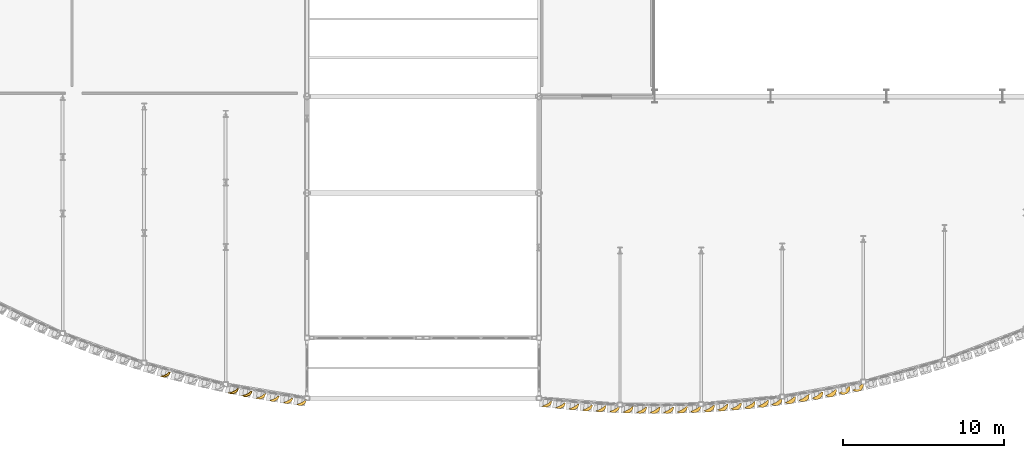
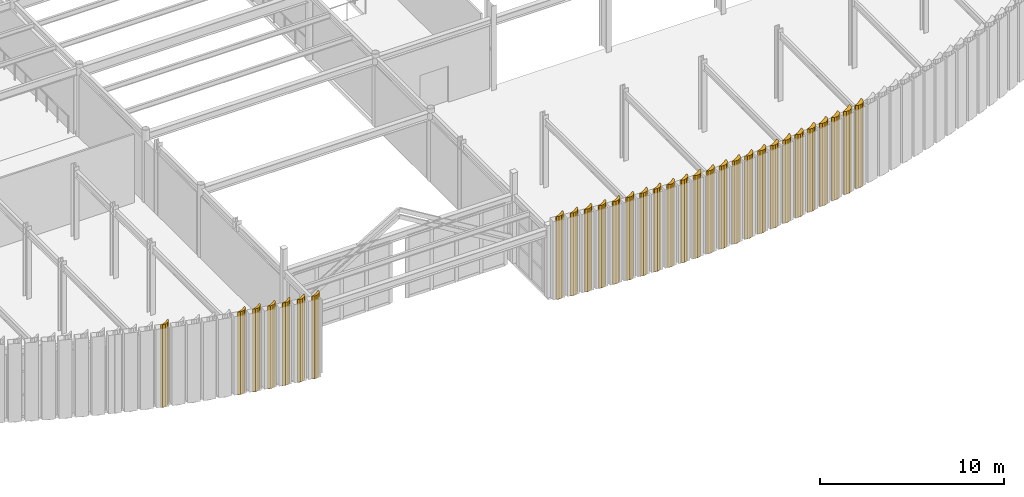
# One storey, part 118 of 126: 31 coverings.
"""IFC4 building model written with IfcOpenShell, lengths in metres."""

import ifcopenshell
import ifcopenshell.guid

model = None  # the IFC model being written
_history = None  # IfcOwnerHistory: only IFC2X3 demands one
_inside = {}  # id of a spatial element -> (the spatial element, [elements in it])
_under = {}  # id of a project, library or spatial element -> (it, [spatial elements below it])
_declared = {}  # id of a project -> (the project, [libraries it declares])
_typed = {}  # id of a type object -> (the type object, [elements of that type])
_made_of = {}  # id of a material, layer set ... -> (it, [elements and type objects made of it])


def new_model(schema):
    """Start an empty IFC model of exactly this schema.

    Asked for "IFC4X3", IfcOpenShell would pick the latest addendum, in which some entities
    have other attributes; the version numbers below select the first issue.
    IFC2X3 requires an IfcOwnerHistory on every rooted entity: one is made here for all.
    """
    global model, _history
    if schema == "IFC4X3":
        model = ifcopenshell.file(schema_version=(4, 3, 0, 0))
    else:
        model = ifcopenshell.file(schema=schema)
    _inside.clear()
    _under.clear()
    _declared.clear()
    _typed.clear()
    _made_of.clear()
    _history = None
    if model.schema == "IFC2X3":
        org = make("IfcOrganization", Name="unknown")
        user = make(
            "IfcPersonAndOrganization",
            ThePerson=make("IfcPerson", FamilyName="unknown"),
            TheOrganization=org,
        )
        app = make(
            "IfcApplication",
            ApplicationDeveloper=org,
            Version="unknown",
            ApplicationFullName="unknown",
            ApplicationIdentifier="unknown",
        )
        _history = make(
            "IfcOwnerHistory",
            OwningUser=user,
            OwningApplication=app,
            ChangeAction="ADDED",
            CreationDate=0,
        )
    return model


def make(cls, **values):
    """One entity of the class cls with the attributes given. An attribute that is None is left unset."""
    return model.create_entity(
        cls, **{name: value for name, value in values.items() if value is not None}
    )


def rooted(cls, **values):
    """An entity with a GlobalId (a new one), such as an element, a storey or a relation."""
    return make(cls, GlobalId=ifcopenshell.guid.new(), OwnerHistory=_history, **values)


def si_unit(unit_type, name, prefix=None):
    """IfcSIUnit, for example si_unit("LENGTHUNIT", "METRE", prefix="MILLI")."""
    return make("IfcSIUnit", UnitType=unit_type, Prefix=prefix, Name=name)


def assignment(units):
    """IfcUnitAssignment: the units of a project."""
    return None if units is None else make("IfcUnitAssignment", Units=units)


def point(xyz):
    """IfcCartesianPoint."""
    return None if xyz is None else make("IfcCartesianPoint", Coordinates=xyz)


def direction(xyz):
    """IfcDirection."""
    return None if xyz is None else make("IfcDirection", DirectionRatios=xyz)


def frame(location, z_axis=None, x_axis=None):
    """IfcAxis2Placement3D, a coordinate frame: its origin and axes. An axis left out is left unset."""
    return make(
        "IfcAxis2Placement3D",
        Location=point(location),
        Axis=direction(z_axis),
        RefDirection=direction(x_axis),
    )


def origin():
    """The frame at (0, 0, 0) with its axes left unset."""
    return frame((0.0, 0.0, 0.0))


def place(relative_to, where):
    """IfcLocalPlacement: puts the frame where relative to a parent placement (None: the world)."""
    return make(
        "IfcLocalPlacement", PlacementRelTo=relative_to, RelativePlacement=where
    )


def context(
    kind, dimensions, precision=None, world=None, true_north=None, identifier=None
):
    """IfcGeometricRepresentationContext, for example the 3D "Model" context."""
    return make(
        "IfcGeometricRepresentationContext",
        ContextIdentifier=identifier,
        ContextType=kind,
        CoordinateSpaceDimension=dimensions,
        Precision=precision,
        WorldCoordinateSystem=world,
        TrueNorth=true_north,
    )


def subcontext(parent, identifier, kind, view, scale=None):
    """IfcGeometricRepresentationSubContext, for example "Body" below "Model"."""
    return make(
        "IfcGeometricRepresentationSubContext",
        ContextIdentifier=identifier,
        ContextType=kind,
        ParentContext=parent,
        TargetScale=scale,
        TargetView=view,
    )


def project(units=None, contexts=None):
    """IfcProject with its units and contexts."""
    return rooted(
        "IfcProject",
        Name="project",
        RepresentationContexts=contexts,
        UnitsInContext=assignment(units),
    )


def spatial(cls, under=None, at=None, **own):
    """A site, building, storey or space (cls), placed at a placement, below another one or the project."""
    s = rooted(cls, ObjectPlacement=at, **own)
    if under is not None:
        _under.setdefault(under.id(), (under, []))[1].append(s)
    return s


def polyline(points):
    """IfcPolyline through the points."""
    return make("IfcPolyline", Points=[point(p) for p in points])


def outline(outer, holes=None, kind="AREA"):
    """IfcArbitraryClosedProfileDef: a profile drawn as a closed curve; with holes, ...WithVoids."""
    if holes is None:
        return make("IfcArbitraryClosedProfileDef", ProfileType=kind, OuterCurve=outer)
    return make(
        "IfcArbitraryProfileDefWithVoids",
        ProfileType=kind,
        OuterCurve=outer,
        InnerCurves=holes,
    )


def extrude(swept, where, along, depth):
    """IfcExtrudedAreaSolid: the profile swept, set in the frame where, extruded along a direction by depth."""
    return make(
        "IfcExtrudedAreaSolid",
        SweptArea=swept,
        Position=where,
        ExtrudedDirection=direction(along),
        Depth=depth,
    )


def shape(context_of_items, identifier, shape_type, items):
    """IfcShapeRepresentation: the items that make up one representation, for example the "Body"."""
    return make(
        "IfcShapeRepresentation",
        ContextOfItems=context_of_items,
        RepresentationIdentifier=identifier,
        RepresentationType=shape_type,
        Items=items,
    )


def material(Name=None, Category=None):
    """IfcMaterial."""
    return make("IfcMaterial", Name=Name, Category=Category)


def layer(
    of_material, thickness, ventilated=None, Name=None, Category=None, Priority=None
):
    """IfcMaterialLayer: one layer of a wall or slab, of a material (None: an air gap)."""
    return make(
        "IfcMaterialLayer",
        Material=of_material,
        LayerThickness=thickness,
        IsVentilated=ventilated,
        Name=Name,
        Category=Category,
        Priority=Priority,
    )


def layer_set(layers, Name=None):
    """IfcMaterialLayerSet."""
    return make("IfcMaterialLayerSet", MaterialLayers=layers, LayerSetName=Name)


def made_of(thing, what):
    """Note that an element or type object is made of a material, layer set ...; save() writes the relation."""
    if what is not None:
        _made_of.setdefault(what.id(), (what, []))[1].append(thing)
    return thing


def type_object(cls, material=None, **own):
    """A type object (cls), such as IfcWallType, which elements share."""
    return made_of(rooted(cls, **own), material)


def element(
    cls,
    number,
    at=None,
    inside=None,
    cuts=None,
    type_object=None,
    material=None,
    context=None,
    identifier="Body",
    shape_type=None,
    held_by="IfcProductDefinitionShape",
    body=None,
    shapes=None,
    **own,
):
    """One element of the class cls, such as IfcWall. Its Tag is "e" and its number.

    at: its placement. inside: the storey or other place that contains it. cuts: it is an
    opening in that element (IfcRelVoidsElement). A single representation is given by context,
    identifier, shape_type and body (its items); several are given by shapes. held_by: the class
    of the entity that holds the representations. save() writes the other relations.
    """
    e = rooted(cls, Tag="e%d" % number, ObjectPlacement=at, **own)
    if body is not None:
        shapes = [shape(context, identifier, shape_type, body)]
    if shapes is not None:
        e.Representation = make(held_by, Representations=shapes)
    if inside is not None:
        _inside.setdefault(inside.id(), (inside, []))[1].append(e)
    if cuts is not None:
        rooted(
            "IfcRelVoidsElement", RelatingBuildingElement=cuts, RelatedOpeningElement=e
        )
    if type_object is not None:
        _typed.setdefault(type_object.id(), (type_object, []))[1].append(e)
    return made_of(e, material)


def aggregate(whole, parts):
    """IfcRelAggregates: a whole, such as a stair, and the parts it consists of."""
    return rooted("IfcRelAggregates", RelatingObject=whole, RelatedObjects=parts)


def save(model, path):
    """Write the relations noted so far, then the file.

    IfcRelAggregates (storeys below a building ...), IfcRelContainedInSpatialStructure (elements
    in a storey), IfcRelDefinesByType, IfcRelAssociatesMaterial and IfcRelDeclares: one each for
    every whole, place, type object, material and project.
    """
    for whole, parts in _under.values():
        aggregate(whole, parts)
    for where, things in _inside.values():
        rooted(
            "IfcRelContainedInSpatialStructure",
            RelatedElements=things,
            RelatingStructure=where,
        )
    for kind, things in _typed.values():
        rooted("IfcRelDefinesByType", RelatedObjects=things, RelatingType=kind)
    for what, things in _made_of.values():
        rooted("IfcRelAssociatesMaterial", RelatedObjects=things, RelatingMaterial=what)
    for by, libraries in _declared.values():
        rooted("IfcRelDeclares", RelatingContext=by, RelatedDefinitions=libraries)
    model.write(path)


model = new_model("IFC4")

# Units and contexts
model_context = context("Model", 3, precision=1e-05, world=origin(), true_north=direction((0.0, 1.0)))
body_context = subcontext(model_context, "Body", "Model", "MODEL_VIEW")
ifc_project = project(units=[si_unit("LENGTHUNIT", "METRE"), si_unit("AREAUNIT", "SQUARE_METRE"), si_unit("VOLUMEUNIT", "CUBIC_METRE"), si_unit("PLANEANGLEUNIT", "RADIAN"), si_unit("MASSUNIT", "GRAM", prefix="KILO")], contexts=[model_context])

# Site, building, storey
site_placement = place(None, origin())
site = spatial("IfcSite", under=ifc_project, at=site_placement, CompositionType="ELEMENT")
building_placement = place(site_placement, origin())
building = spatial("IfcBuilding", under=site, at=building_placement, Name="Solvadek Multi-Sports Hall", CompositionType="ELEMENT")
storey_placement = place(building_placement, frame((0.0, 0.0, 9.60009765625)))
storey = spatial("IfcBuildingStorey", under=building, at=storey_placement, Name="L02", CompositionType="ELEMENT", Elevation=9.60009765625)

# Coverings
ifc_material = material(Name="Perforated champagne-bronze anodised aluminium", Category="aluminium")
ifc_layer = layer(ifc_material, 0.06494140625, Name="Perforated champagne-bronze anodised aluminium")
ifc_layer_set = layer_set([ifc_layer], Name="Perforated champagne-bronze anodised aluminium")
covering_type = type_object("IfcCoveringType", Name="ENV-COV-FLUTED", PredefinedType="CLADDING", material=ifc_layer_set)
covering_1_placement = place(storey_placement, frame((0.0, 0.0, 0.010009765625)))
element("IfcCovering", 1, at=covering_1_placement, inside=storey, type_object=covering_type, Name="L02 Perforated Bronze Half-Cylinder Fluted Shell #88", PredefinedType="CLADDING", context=body_context, shape_type="SweptSolid", body=[
    extrude(outline(polyline([(63.5087890625, -11.148193359375), (63.4345703125, -11.289794921875), (63.3115234375, -11.392333984375), (63.158935546875, -11.43994140625), (62.99951171875, -11.42529296875), (62.85791015625, -11.35107421875), (62.755615234375, -11.22802734375), (62.7080078125, -11.075439453125), (62.722412109375, -10.916015625), (62.784912109375, -10.9345703125), (62.683349609375, -11.068603515625), (62.647705078125, -11.197021484375), (62.683349609375, -11.300537109375), (62.784912109375, -11.363037109375), (62.9365234375, -11.375244140625), (63.11572265625, -11.335205078125), (63.294677734375, -11.2490234375), (63.446533203125, -11.1298828125), (63.5087890625, -11.148193359375)])), origin(), (0.0, 0.0, 1.0), 5.489990234375),
])
covering_2_placement = place(storey_placement, frame((0.0, 0.0, 0.010009765625)))
element("IfcCovering", 2, at=covering_2_placement, inside=storey, type_object=covering_type, Name="L02 Perforated Bronze Half-Cylinder Fluted Shell #99", PredefinedType="CLADDING", context=body_context, shape_type="SweptSolid", body=[
    extrude(outline(polyline([(67.743408203125, -12.15673828125), (67.68212890625, -12.304443359375), (67.56884765625, -12.41748046875), (67.4208984375, -12.478515625), (67.260986328125, -12.478515625), (67.11328125, -12.4169921875), (67.00048828125, -12.3037109375), (66.939208984375, -12.156005859375), (66.939453125, -11.995849609375), (67.003173828125, -12.008544921875), (66.8994140625, -12.143310546875), (66.863037109375, -12.267578125), (66.8994140625, -12.363037109375), (67.003173828125, -12.41455078125), (67.158447265625, -12.414794921875), (67.341552734375, -12.36328125), (67.524658203125, -12.268310546875), (67.6796875, -12.14404296875), (67.743408203125, -12.15673828125)])), origin(), (0.0, 0.0, 1.0), 5.489990234375),
])
covering_3_placement = place(storey_placement, frame((0.0, 0.0, 0.010009765625)))
element("IfcCovering", 3, at=covering_3_placement, inside=storey, type_object=covering_type, Name="L02 Perforated Bronze Half-Cylinder Fluted Shell #100", PredefinedType="CLADDING", context=body_context, shape_type="SweptSolid", body=[
    extrude(outline(polyline([(68.5869140625, -12.325439453125), (68.525634765625, -12.47314453125), (68.412353515625, -12.586181640625), (68.264404296875, -12.647216796875), (68.1044921875, -12.647216796875), (67.956787109375, -12.585693359375), (67.84375, -12.472412109375), (67.78271484375, -12.32470703125), (67.782958984375, -12.16455078125), (67.8466796875, -12.177490234375), (67.742919921875, -12.31201171875), (67.70654296875, -12.436279296875), (67.742919921875, -12.53173828125), (67.8466796875, -12.58349609375), (68.001953125, -12.58349609375), (68.18505859375, -12.5322265625), (68.367919921875, -12.43701171875), (68.523193359375, -12.312744140625), (68.5869140625, -12.325439453125)])), origin(), (0.0, 0.0, 1.0), 5.489990234375),
])
covering_4_placement = place(storey_placement, frame((0.0, 0.0, 0.010009765625)))
element("IfcCovering", 4, at=covering_4_placement, inside=storey, type_object=covering_type, Name="L02 Perforated Bronze Half-Cylinder Fluted Shell #103", PredefinedType="CLADDING", context=body_context, shape_type="SweptSolid", body=[
    extrude(outline(polyline([(69.435546875, -12.47021484375), (69.37841796875, -12.61962890625), (69.2685546875, -12.73583984375), (69.12255859375, -12.80126953125), (68.962646484375, -12.8056640625), (68.813232421875, -12.748779296875), (68.697021484375, -12.638916015625), (68.631591796875, -12.492919921875), (68.627197265625, -12.3330078125), (68.691162109375, -12.34375), (68.5869140625, -12.478515625), (68.55029296875, -12.601318359375), (68.5869140625, -12.693603515625), (68.691162109375, -12.74169921875), (68.84716796875, -12.73779296875), (69.03125, -12.682861328125), (69.21533203125, -12.5849609375), (69.371337890625, -12.459228515625), (69.435546875, -12.47021484375)])), origin(), (0.0, 0.0, 1.0), 5.489990234375),
])
covering_5_placement = place(storey_placement, frame((0.0, 0.0, 0.010009765625)))
element("IfcCovering", 5, at=covering_5_placement, inside=storey, type_object=covering_type, Name="L02 Perforated Bronze Half-Cylinder Fluted Shell #104", PredefinedType="CLADDING", context=body_context, shape_type="SweptSolid", body=[
    extrude(outline(polyline([(70.27880859375, -12.613037109375), (70.221923828125, -12.7626953125), (70.112060546875, -12.87890625), (69.966064453125, -12.9443359375), (69.80615234375, -12.94873046875), (69.656494140625, -12.891845703125), (69.540283203125, -12.781982421875), (69.47509765625, -12.635986328125), (69.470458984375, -12.47607421875), (69.534423828125, -12.48681640625), (69.430419921875, -12.621337890625), (69.3935546875, -12.744384765625), (69.430419921875, -12.836669921875), (69.534423828125, -12.884765625), (69.690673828125, -12.880859375), (69.874755859375, -12.825927734375), (70.058837890625, -12.72802734375), (70.21484375, -12.602294921875), (70.27880859375, -12.613037109375)])), origin(), (0.0, 0.0, 1.0), 5.489990234375),
])
covering_6_placement = place(storey_placement, frame((0.0, 0.0, 0.010009765625)))
element("IfcCovering", 6, at=covering_6_placement, inside=storey, type_object=covering_type, Name="L02 Perforated Bronze Half-Cylinder Fluted Shell #107", PredefinedType="CLADDING", context=body_context, shape_type="SweptSolid", body=[
    extrude(outline(polyline([(71.127197265625, -12.732177734375), (71.074462890625, -12.883056640625), (70.968017578125, -13.002685546875), (70.823974609375, -13.072265625), (70.664306640625, -13.08154296875), (70.51318359375, -13.02880859375), (70.393798828125, -12.922607421875), (70.32421875, -12.7783203125), (70.31494140625, -12.61865234375), (70.37939453125, -12.627685546875), (70.274658203125, -12.76220703125), (70.23779296875, -12.88330078125), (70.274658203125, -12.972900390625), (70.37939453125, -13.01708984375), (70.5361328125, -13.00927734375), (70.720947265625, -12.95068359375), (70.906005859375, -12.85009765625), (71.062744140625, -12.72314453125), (71.127197265625, -12.732177734375)])), origin(), (0.0, 0.0, 1.0), 5.489990234375),
])
covering_7_placement = place(storey_placement, frame((0.0, 0.0, 0.010009765625)))
element("IfcCovering", 7, at=covering_7_placement, inside=storey, type_object=covering_type, Name="L02 Perforated Bronze Half-Cylinder Fluted Shell #108", PredefinedType="CLADDING", context=body_context, shape_type="SweptSolid", body=[
    extrude(outline(polyline([(71.970458984375, -12.849853515625), (71.91796875, -13.000732421875), (71.8115234375, -13.120361328125), (71.66748046875, -13.18994140625), (71.5078125, -13.19921875), (71.356689453125, -13.146484375), (71.2373046875, -13.040283203125), (71.16748046875, -12.89599609375), (71.158447265625, -12.736328125), (71.222900390625, -12.745361328125), (71.117919921875, -12.8798828125), (71.081298828125, -13.0009765625), (71.117919921875, -13.090576171875), (71.222900390625, -13.134765625), (71.37939453125, -13.126953125), (71.564453125, -13.068359375), (71.74951171875, -12.968017578125), (71.906005859375, -12.8408203125), (71.970458984375, -12.849853515625)])), origin(), (0.0, 0.0, 1.0), 5.489990234375),
])
covering_8_placement = place(storey_placement, frame((0.0, 0.0, 0.010009765625)))
element("IfcCovering", 8, at=covering_8_placement, inside=storey, type_object=covering_type, Name="L02 Perforated Bronze Half-Cylinder Fluted Shell #111", PredefinedType="CLADDING", context=body_context, shape_type="SweptSolid", body=[
    extrude(outline(polyline([(87.216552734375, -12.943359375), (87.16845703125, -13.095703125), (87.065673828125, -13.21826171875), (86.923583984375, -13.2919921875), (86.764404296875, -13.305908203125), (86.61181640625, -13.2578125), (86.4892578125, -13.155029296875), (86.415283203125, -13.012939453125), (86.401611328125, -12.853759765625), (86.466064453125, -12.86083984375), (86.361083984375, -12.994873046875), (86.32421875, -13.1142578125), (86.361083984375, -13.200927734375), (86.466064453125, -13.241455078125), (86.62353515625, -13.229736328125), (86.80908203125, -13.16748046875), (86.99462890625, -13.064453125), (87.152099609375, -12.936279296875), (87.216552734375, -12.943359375)])), origin(), (0.0, 0.0, 1.0), 5.489990234375),
])
covering_9_placement = place(storey_placement, frame((0.0, 0.0, 0.010009765625)))
element("IfcCovering", 9, at=covering_9_placement, inside=storey, type_object=covering_type, Name="L02 Perforated Bronze Half-Cylinder Fluted Shell #112", PredefinedType="CLADDING", context=body_context, shape_type="SweptSolid", body=[
    extrude(outline(polyline([(88.056640625, -13.03564453125), (88.00830078125, -13.188232421875), (87.905517578125, -13.310791015625), (87.763671875, -13.384521484375), (87.604248046875, -13.3984375), (87.45166015625, -13.35009765625), (87.3291015625, -13.247314453125), (87.25537109375, -13.10546875), (87.241455078125, -12.946044921875), (87.30615234375, -12.953125), (87.200927734375, -13.087158203125), (87.1640625, -13.206787109375), (87.200927734375, -13.293212890625), (87.30615234375, -13.333740234375), (87.46337890625, -13.322021484375), (87.649169921875, -13.260009765625), (87.834716796875, -13.156982421875), (87.991943359375, -13.028564453125), (88.056640625, -13.03564453125)])), origin(), (0.0, 0.0, 1.0), 5.489990234375),
])
covering_10_placement = place(storey_placement, frame((0.0, 0.0, 0.010009765625)))
element("IfcCovering", 10, at=covering_10_placement, inside=storey, type_object=covering_type, Name="L02 Perforated Bronze Half-Cylinder Fluted Shell #115", PredefinedType="CLADDING", context=body_context, shape_type="SweptSolid", body=[
    extrude(outline(polyline([(88.900634765625, -13.104248046875), (88.85693359375, -13.258056640625), (88.757568359375, -13.383544921875), (88.617919921875, -13.46142578125), (88.458984375, -13.479736328125), (88.30517578125, -13.43603515625), (88.1796875, -13.3369140625), (88.101806640625, -13.197021484375), (88.083251953125, -13.0380859375), (88.148193359375, -13.04345703125), (88.042724609375, -13.177001953125), (88.005615234375, -13.294677734375), (88.042724609375, -13.37841796875), (88.148193359375, -13.4150390625), (88.305908203125, -13.3994140625), (88.491943359375, -13.333984375), (88.677978515625, -13.228515625), (88.835693359375, -13.098876953125), (88.900634765625, -13.104248046875)])), origin(), (0.0, 0.0, 1.0), 5.489990234375),
])
covering_11_placement = place(storey_placement, frame((0.0, 0.0, 0.010009765625)))
element("IfcCovering", 11, at=covering_11_placement, inside=storey, type_object=covering_type, Name="L02 Perforated Bronze Half-Cylinder Fluted Shell #116", PredefinedType="CLADDING", context=body_context, shape_type="SweptSolid", body=[
    extrude(outline(polyline([(89.740478515625, -13.172119140625), (89.697021484375, -13.32568359375), (89.59765625, -13.451416015625), (89.4580078125, -13.529296875), (89.299072265625, -13.547607421875), (89.14501953125, -13.50390625), (89.019775390625, -13.404541015625), (88.94189453125, -13.264892578125), (88.92333984375, -13.10595703125), (88.988037109375, -13.111083984375), (88.8828125, -13.244873046875), (88.845703125, -13.362548828125), (88.8828125, -13.446044921875), (88.988037109375, -13.48291015625), (89.145751953125, -13.46728515625), (89.33203125, -13.40185546875), (89.51806640625, -13.296142578125), (89.67578125, -13.166748046875), (89.740478515625, -13.172119140625)])), origin(), (0.0, 0.0, 1.0), 5.489990234375),
])
covering_12_placement = place(storey_placement, frame((0.0, 0.0, 0.010009765625)))
element("IfcCovering", 12, at=covering_12_placement, inside=storey, type_object=covering_type, Name="L02 Perforated Bronze Half-Cylinder Fluted Shell #119", PredefinedType="CLADDING", context=body_context, shape_type="SweptSolid", body=[
    extrude(outline(polyline([(90.584228515625, -13.2158203125), (90.544921875, -13.37109375), (90.449462890625, -13.499267578125), (90.31201171875, -13.5810546875), (90.15380859375, -13.604248046875), (89.99853515625, -13.56494140625), (89.870361328125, -13.46923828125), (89.78857421875, -13.331787109375), (89.765380859375, -13.173583984375), (89.830322265625, -13.177001953125), (89.724609375, -13.310302734375), (89.6875, -13.42578125), (89.724609375, -13.50634765625), (89.830322265625, -13.539306640625), (89.98828125, -13.52001953125), (90.1748046875, -13.450927734375), (90.361328125, -13.343017578125), (90.519287109375, -13.21240234375), (90.584228515625, -13.2158203125)])), origin(), (0.0, 0.0, 1.0), 5.489990234375),
])
covering_13_placement = place(storey_placement, frame((0.0, 0.0, 0.010009765625)))
element("IfcCovering", 13, at=covering_13_placement, inside=storey, type_object=covering_type, Name="L02 Perforated Bronze Half-Cylinder Fluted Shell #120", PredefinedType="CLADDING", context=body_context, shape_type="SweptSolid", body=[
    extrude(outline(polyline([(91.42431640625, -13.25927734375), (91.385009765625, -13.414306640625), (91.289306640625, -13.54248046875), (91.152099609375, -13.62451171875), (90.99365234375, -13.6474609375), (90.838623046875, -13.6083984375), (90.71044921875, -13.5126953125), (90.62841796875, -13.375244140625), (90.60546875, -13.217041015625), (90.67041015625, -13.22021484375), (90.564697265625, -13.353515625), (90.527587890625, -13.468994140625), (90.564697265625, -13.549560546875), (90.67041015625, -13.58251953125), (90.828369140625, -13.563232421875), (91.014892578125, -13.494384765625), (91.201416015625, -13.386474609375), (91.359375, -13.255859375), (91.42431640625, -13.25927734375)])), origin(), (0.0, 0.0, 1.0), 5.489990234375),
])
covering_14_placement = place(storey_placement, frame((0.0, 0.0, 0.010009765625)))
element("IfcCovering", 14, at=covering_14_placement, inside=storey, type_object=covering_type, Name="L02 Perforated Bronze Half-Cylinder Fluted Shell #123", PredefinedType="CLADDING", context=body_context, shape_type="SweptSolid", body=[
    extrude(outline(polyline([(92.267578125, -13.27880859375), (92.23291015625, -13.434814453125), (92.14111328125, -13.56591796875), (92.006103515625, -13.651611328125), (91.848388671875, -13.67919921875), (91.6923828125, -13.64453125), (91.561279296875, -13.552734375), (91.4755859375, -13.417724609375), (91.44775390625, -13.260009765625), (91.5126953125, -13.26171875), (91.406982421875, -13.394287109375), (91.3701171875, -13.5078125), (91.406982421875, -13.585205078125), (91.5126953125, -13.6142578125), (91.671142578125, -13.591064453125), (91.857666015625, -13.518798828125), (92.04443359375, -13.40869140625), (92.20263671875, -13.277099609375), (92.267578125, -13.27880859375)])), origin(), (0.0, 0.0, 1.0), 5.489990234375),
])
covering_15_placement = place(storey_placement, frame((0.0, 0.0, 0.010009765625)))
element("IfcCovering", 15, at=covering_15_placement, inside=storey, type_object=covering_type, Name="L02 Perforated Bronze Half-Cylinder Fluted Shell #124", PredefinedType="CLADDING", context=body_context, shape_type="SweptSolid", body=[
    extrude(outline(polyline([(93.107666015625, -13.297607421875), (93.072998046875, -13.453857421875), (92.98095703125, -13.5849609375), (92.845947265625, -13.670654296875), (92.6884765625, -13.6982421875), (92.5322265625, -13.66357421875), (92.4013671875, -13.57177734375), (92.3154296875, -13.436767578125), (92.287841796875, -13.279296875), (92.352783203125, -13.280517578125), (92.2470703125, -13.4130859375), (92.2099609375, -13.52685546875), (92.2470703125, -13.60400390625), (92.352783203125, -13.63330078125), (92.510986328125, -13.610107421875), (92.69775390625, -13.537841796875), (92.884521484375, -13.427734375), (93.04248046875, -13.29638671875), (93.107666015625, -13.297607421875)])), origin(), (0.0, 0.0, 1.0), 5.489990234375),
])
covering_16_placement = place(storey_placement, frame((0.0, 0.0, 0.010009765625)))
element("IfcCovering", 16, at=covering_16_placement, inside=storey, type_object=covering_type, Name="L02 Perforated Bronze Half-Cylinder Fluted Shell #127", PredefinedType="CLADDING", context=body_context, shape_type="SweptSolid", body=[
    extrude(outline(polyline([(93.95068359375, -13.29296875), (93.92041015625, -13.449951171875), (93.832275390625, -13.58349609375), (93.699951171875, -13.673095703125), (93.543212890625, -13.705322265625), (93.385986328125, -13.67529296875), (93.25244140625, -13.587158203125), (93.162841796875, -13.45458984375), (93.130615234375, -13.2978515625), (93.195556640625, -13.297607421875), (93.08984375, -13.429443359375), (93.052734375, -13.541015625), (93.08984375, -13.614990234375), (93.195556640625, -13.640380859375), (93.35400390625, -13.61328125), (93.54052734375, -13.537841796875), (93.727294921875, -13.42529296875), (93.885498046875, -13.293212890625), (93.95068359375, -13.29296875)])), origin(), (0.0, 0.0, 1.0), 5.489990234375),
])
covering_17_placement = place(storey_placement, frame((0.0, 0.0, 0.010009765625)))
element("IfcCovering", 17, at=covering_17_placement, inside=storey, type_object=covering_type, Name="L02 Perforated Bronze Half-Cylinder Fluted Shell #128", PredefinedType="CLADDING", context=body_context, shape_type="SweptSolid", body=[
    extrude(outline(polyline([(94.79052734375, -13.28759765625), (94.760498046875, -13.44482421875), (94.67236328125, -13.578369140625), (94.539794921875, -13.66796875), (94.38330078125, -13.7001953125), (94.22607421875, -13.669921875), (94.092529296875, -13.581787109375), (94.002685546875, -13.449462890625), (93.970703125, -13.292724609375), (94.03564453125, -13.292236328125), (93.929931640625, -13.42431640625), (93.892578125, -13.53564453125), (93.929931640625, -13.609619140625), (94.03564453125, -13.63525390625), (94.19384765625, -13.608154296875), (94.380615234375, -13.53271484375), (94.5673828125, -13.420166015625), (94.7255859375, -13.2880859375), (94.79052734375, -13.28759765625)])), origin(), (0.0, 0.0, 1.0), 5.489990234375),
])
covering_18_placement = place(storey_placement, frame((0.0, 0.0, 0.010009765625)))
element("IfcCovering", 18, at=covering_18_placement, inside=storey, type_object=covering_type, Name="L02 Perforated Bronze Half-Cylinder Fluted Shell #131", PredefinedType="CLADDING", context=body_context, shape_type="SweptSolid", body=[
    extrude(outline(polyline([(95.63330078125, -13.25830078125), (95.607666015625, -13.416259765625), (95.5234375, -13.552490234375), (95.3935546875, -13.64599609375), (95.23779296875, -13.6826171875), (95.080078125, -13.656982421875), (94.94384765625, -13.57275390625), (94.850341796875, -13.44287109375), (94.813720703125, -13.287109375), (94.878662109375, -13.284912109375), (94.77294921875, -13.416015625), (94.73583984375, -13.525146484375), (94.77294921875, -13.595947265625), (94.878662109375, -13.61767578125), (95.036865234375, -13.586669921875), (95.223388671875, -13.508056640625), (95.41015625, -13.3935546875), (95.568359375, -13.2607421875), (95.63330078125, -13.25830078125)])), origin(), (0.0, 0.0, 1.0), 5.489990234375),
])
covering_19_placement = place(storey_placement, frame((0.0, 0.0, 0.010009765625)))
element("IfcCovering", 19, at=covering_19_placement, inside=storey, type_object=covering_type, Name="L02 Perforated Bronze Half-Cylinder Fluted Shell #132", PredefinedType="CLADDING", context=body_context, shape_type="SweptSolid", body=[
    extrude(outline(polyline([(96.473388671875, -13.22900390625), (96.447509765625, -13.386962890625), (96.36328125, -13.52294921875), (96.233642578125, -13.616455078125), (96.077880859375, -13.653076171875), (95.919921875, -13.62744140625), (95.783935546875, -13.543212890625), (95.6904296875, -13.413330078125), (95.65380859375, -13.2578125), (95.71875, -13.255615234375), (95.613037109375, -13.386474609375), (95.575927734375, -13.49560546875), (95.613037109375, -13.56640625), (95.71875, -13.588134765625), (95.876953125, -13.557373046875), (96.0634765625, -13.478515625), (96.25, -13.364013671875), (96.408203125, -13.231201171875), (96.473388671875, -13.22900390625)])), origin(), (0.0, 0.0, 1.0), 5.489990234375),
])
covering_20_placement = place(storey_placement, frame((0.0, 0.0, 0.010009765625)))
element("IfcCovering", 20, at=covering_20_placement, inside=storey, type_object=covering_type, Name="L02 Perforated Bronze Half-Cylinder Fluted Shell #135", PredefinedType="CLADDING", context=body_context, shape_type="SweptSolid", body=[
    extrude(outline(polyline([(97.315673828125, -13.17529296875), (97.29443359375, -13.333984375), (97.214111328125, -13.472412109375), (97.087158203125, -13.569580078125), (96.9326171875, -13.61083984375), (96.77392578125, -13.589599609375), (96.635498046875, -13.509521484375), (96.538330078125, -13.38232421875), (96.497314453125, -13.227783203125), (96.56201171875, -13.2236328125), (96.45654296875, -13.353759765625), (96.41943359375, -13.460693359375), (96.45654296875, -13.528076171875), (96.56201171875, -13.5458984375), (96.72021484375, -13.51123046875), (96.906494140625, -13.429443359375), (97.0927734375, -13.31298828125), (97.250732421875, -13.179443359375), (97.315673828125, -13.17529296875)])), origin(), (0.0, 0.0, 1.0), 5.489990234375),
])
covering_21_placement = place(storey_placement, frame((0.0, 0.0, 0.010009765625)))
element("IfcCovering", 21, at=covering_21_placement, inside=storey, type_object=covering_type, Name="L02 Perforated Bronze Half-Cylinder Fluted Shell #136", PredefinedType="CLADDING", context=body_context, shape_type="SweptSolid", body=[
    extrude(outline(polyline([(98.155517578125, -13.12158203125), (98.134521484375, -13.2802734375), (98.05419921875, -13.418701171875), (97.92724609375, -13.515869140625), (97.772705078125, -13.556884765625), (97.614013671875, -13.535888671875), (97.4755859375, -13.45556640625), (97.37841796875, -13.32861328125), (97.337158203125, -13.174072265625), (97.402099609375, -13.169921875), (97.29638671875, -13.2998046875), (97.259521484375, -13.40673828125), (97.29638671875, -13.474365234375), (97.402099609375, -13.4921875), (97.56005859375, -13.45751953125), (97.746337890625, -13.375732421875), (97.9326171875, -13.25927734375), (98.0908203125, -13.125732421875), (98.155517578125, -13.12158203125)])), origin(), (0.0, 0.0, 1.0), 5.489990234375),
])
covering_22_placement = place(storey_placement, frame((0.0, 0.0, 0.010009765625)))
element("IfcCovering", 22, at=covering_22_placement, inside=storey, type_object=covering_type, Name="L02 Perforated Bronze Half-Cylinder Fluted Shell #139", PredefinedType="CLADDING", context=body_context, shape_type="SweptSolid", body=[
    extrude(outline(polyline([(98.99755859375, -13.04345703125), (98.98095703125, -13.20263671875), (98.90478515625, -13.34326171875), (98.78076171875, -13.444091796875), (98.627197265625, -13.48974609375), (98.46826171875, -13.47314453125), (98.327392578125, -13.397216796875), (98.226806640625, -13.27294921875), (98.18115234375, -13.11962890625), (98.245849609375, -13.113525390625), (98.140380859375, -13.24267578125), (98.103515625, -13.34716796875), (98.140380859375, -13.4111328125), (98.245849609375, -13.425048828125), (98.4033203125, -13.38671875), (98.58935546875, -13.3017578125), (98.775146484375, -13.183349609375), (98.932861328125, -13.049560546875), (98.99755859375, -13.04345703125)])), origin(), (0.0, 0.0, 1.0), 5.489990234375),
])
covering_23_placement = place(storey_placement, frame((0.0, 0.0, 0.010009765625)))
element("IfcCovering", 23, at=covering_23_placement, inside=storey, type_object=covering_type, Name="L02 Perforated Bronze Half-Cylinder Fluted Shell #140", PredefinedType="CLADDING", context=body_context, shape_type="SweptSolid", body=[
    extrude(outline(polyline([(99.83740234375, -12.965087890625), (99.821044921875, -13.124267578125), (99.744873046875, -13.264892578125), (99.62060546875, -13.36572265625), (99.46728515625, -13.411376953125), (99.30810546875, -13.39501953125), (99.16748046875, -13.31884765625), (99.066650390625, -13.194580078125), (99.02099609375, -13.041259765625), (99.085693359375, -13.03515625), (98.98046875, -13.164306640625), (98.943603515625, -13.268798828125), (98.98046875, -13.332763671875), (99.085693359375, -13.3466796875), (99.243408203125, -13.308349609375), (99.42919921875, -13.223388671875), (99.615234375, -13.10498046875), (99.772705078125, -12.97119140625), (99.83740234375, -12.965087890625)])), origin(), (0.0, 0.0, 1.0), 5.489990234375),
])
covering_24_placement = place(storey_placement, frame((0.0, 0.0, 0.010009765625)))
element("IfcCovering", 24, at=covering_24_placement, inside=storey, type_object=covering_type, Name="L02 Perforated Bronze Half-Cylinder Fluted Shell #143", PredefinedType="CLADDING", context=body_context, shape_type="SweptSolid", body=[
    extrude(outline(polyline([(100.67919921875, -12.8623046875), (100.667236328125, -13.02197265625), (100.59521484375, -13.164794921875), (100.47412109375, -13.269287109375), (100.322021484375, -13.319091796875), (100.16259765625, -13.307373046875), (100.019775390625, -13.2353515625), (99.915283203125, -13.114013671875), (99.865234375, -12.962158203125), (99.9296875, -12.954345703125), (99.82470703125, -13.08203125), (99.787841796875, -13.18408203125), (99.82470703125, -13.24462890625), (99.9296875, -13.254638671875), (100.0869140625, -13.212646484375), (100.272216796875, -13.124755859375), (100.45751953125, -13.004638671875), (100.614501953125, -12.870361328125), (100.67919921875, -12.8623046875)])), origin(), (0.0, 0.0, 1.0), 5.489990234375),
])
covering_25_placement = place(storey_placement, frame((0.0, 0.0, 0.010009765625)))
element("IfcCovering", 25, at=covering_25_placement, inside=storey, type_object=covering_type, Name="L02 Perforated Bronze Half-Cylinder Fluted Shell #144", PredefinedType="CLADDING", context=body_context, shape_type="SweptSolid", body=[
    extrude(outline(polyline([(101.51904296875, -12.759521484375), (101.507080078125, -12.9189453125), (101.435302734375, -13.061767578125), (101.31396484375, -13.166259765625), (101.162109375, -13.21630859375), (101.00244140625, -13.204345703125), (100.859619140625, -13.13232421875), (100.75537109375, -13.010986328125), (100.705078125, -12.859130859375), (100.769775390625, -12.851318359375), (100.664794921875, -12.979248046875), (100.6279296875, -13.0810546875), (100.664794921875, -13.141845703125), (100.769775390625, -13.15185546875), (100.9267578125, -13.109619140625), (101.1123046875, -13.021728515625), (101.297607421875, -12.901611328125), (101.45458984375, -12.767333984375), (101.51904296875, -12.759521484375)])), origin(), (0.0, 0.0, 1.0), 5.489990234375),
])
covering_26_placement = place(storey_placement, frame((0.0, 0.0, 0.010009765625)))
element("IfcCovering", 26, at=covering_26_placement, inside=storey, type_object=covering_type, Name="L02 Perforated Bronze Half-Cylinder Fluted Shell #147", PredefinedType="CLADDING", context=body_context, shape_type="SweptSolid", body=[
    extrude(outline(polyline([(102.3603515625, -12.6318359375), (102.35302734375, -12.79150390625), (102.285400390625, -12.9365234375), (102.167236328125, -13.04443359375), (102.016845703125, -13.098876953125), (101.85693359375, -13.091552734375), (101.712158203125, -13.023681640625), (101.604248046875, -12.905517578125), (101.5498046875, -12.755126953125), (101.614013671875, -12.745361328125), (101.509521484375, -12.8720703125), (101.47265625, -12.971435546875), (101.509521484375, -13.028564453125), (101.614013671875, -13.03466796875), (101.7705078125, -12.98876953125), (101.955078125, -12.89794921875), (102.1396484375, -12.776123046875), (102.296142578125, -12.6416015625), (102.3603515625, -12.6318359375)])), origin(), (0.0, 0.0, 1.0), 5.489990234375),
])
covering_27_placement = place(storey_placement, frame((0.0, 0.0, 0.010009765625)))
element("IfcCovering", 27, at=covering_27_placement, inside=storey, type_object=covering_type, Name="L02 Perforated Bronze Half-Cylinder Fluted Shell #148", PredefinedType="CLADDING", context=body_context, shape_type="SweptSolid", body=[
    extrude(outline(polyline([(103.200439453125, -12.50390625), (103.193115234375, -12.663818359375), (103.125244140625, -12.80859375), (103.007080078125, -12.91650390625), (102.856689453125, -12.970947265625), (102.697021484375, -12.963623046875), (102.552001953125, -12.89599609375), (102.444091796875, -12.777587890625), (102.3896484375, -12.627197265625), (102.4541015625, -12.617431640625), (102.349365234375, -12.744140625), (102.312744140625, -12.843505859375), (102.349365234375, -12.900634765625), (102.4541015625, -12.90673828125), (102.610595703125, -12.86083984375), (102.795166015625, -12.77001953125), (102.9794921875, -12.648193359375), (103.135986328125, -12.513671875), (103.200439453125, -12.50390625)])), origin(), (0.0, 0.0, 1.0), 5.489990234375),
])
covering_28_placement = place(storey_placement, frame((0.0, 0.0, 0.010009765625)))
element("IfcCovering", 28, at=covering_28_placement, inside=storey, type_object=covering_type, Name="L02 Perforated Bronze Half-Cylinder Fluted Shell #151", PredefinedType="CLADDING", context=body_context, shape_type="SweptSolid", body=[
    extrude(outline(polyline([(104.041259765625, -12.35107421875), (104.038818359375, -12.510986328125), (103.97509765625, -12.65771484375), (103.8603515625, -12.76904296875), (103.71142578125, -12.827880859375), (103.551513671875, -12.825439453125), (103.40478515625, -12.76171875), (103.29345703125, -12.64697265625), (103.234619140625, -12.498046875), (103.298583984375, -12.486572265625), (103.194580078125, -12.611572265625), (103.157958984375, -12.708251953125), (103.194580078125, -12.76171875), (103.298583984375, -12.763916015625), (103.454345703125, -12.714599609375), (103.637939453125, -12.620849609375), (103.821533203125, -12.497314453125), (103.977294921875, -12.36279296875), (104.041259765625, -12.35107421875)])), origin(), (0.0, 0.0, 1.0), 5.489990234375),
])
covering_29_placement = place(storey_placement, frame((0.0, 0.0, 0.010009765625)))
element("IfcCovering", 29, at=covering_29_placement, inside=storey, type_object=covering_type, Name="L02 Perforated Bronze Half-Cylinder Fluted Shell #152", PredefinedType="CLADDING", context=body_context, shape_type="SweptSolid", body=[
    extrude(outline(polyline([(104.88134765625, -12.19775390625), (104.878662109375, -12.35791015625), (104.815185546875, -12.504638671875), (104.7001953125, -12.615966796875), (104.551513671875, -12.6748046875), (104.3916015625, -12.672119140625), (104.24462890625, -12.608642578125), (104.13330078125, -12.49365234375), (104.07470703125, -12.344970703125), (104.138427734375, -12.333251953125), (104.034423828125, -12.45849609375), (103.998046875, -12.55517578125), (104.034423828125, -12.608642578125), (104.138427734375, -12.61083984375), (104.294189453125, -12.561279296875), (104.477783203125, -12.467529296875), (104.66162109375, -12.343994140625), (104.8173828125, -12.20947265625), (104.88134765625, -12.19775390625)])), origin(), (0.0, 0.0, 1.0), 5.489990234375),
])
covering_30_placement = place(storey_placement, frame((0.0, 0.0, 0.010009765625)))
element("IfcCovering", 30, at=covering_30_placement, inside=storey, type_object=covering_type, Name="L02 Perforated Bronze Half-Cylinder Fluted Shell #155", PredefinedType="CLADDING", context=body_context, shape_type="SweptSolid", body=[
    extrude(outline(polyline([(105.7216796875, -12.019287109375), (105.72412109375, -12.179443359375), (105.664794921875, -12.327880859375), (105.55322265625, -12.442626953125), (105.40625, -12.505859375), (105.24609375, -12.5078125), (105.09765625, -12.44873046875), (104.98291015625, -12.337158203125), (104.919921875, -12.190185546875), (104.9833984375, -12.176513671875), (104.8798828125, -12.30029296875), (104.843505859375, -12.394287109375), (104.8798828125, -12.444091796875), (104.9833984375, -12.442138671875), (105.13818359375, -12.388916015625), (105.32080078125, -12.29248046875), (105.50341796875, -12.16748046875), (105.658203125, -12.032958984375), (105.7216796875, -12.019287109375)])), origin(), (0.0, 0.0, 1.0), 5.489990234375),
])
covering_31_placement = place(storey_placement, frame((0.0, 0.0, 0.010009765625)))
element("IfcCovering", 31, at=covering_31_placement, inside=storey, type_object=covering_type, Name="L02 Perforated Bronze Half-Cylinder Fluted Shell #156", PredefinedType="CLADDING", context=body_context, shape_type="SweptSolid", body=[
    extrude(outline(polyline([(106.561767578125, -11.840576171875), (106.56396484375, -12.00048828125), (106.5048828125, -12.149169921875), (106.393310546875, -12.263671875), (106.24609375, -12.326904296875), (106.086181640625, -12.3291015625), (105.9375, -12.27001953125), (105.822998046875, -12.158203125), (105.759765625, -12.01123046875), (105.823486328125, -11.997802734375), (105.719970703125, -12.121337890625), (105.68359375, -12.21533203125), (105.719970703125, -12.26513671875), (105.823486328125, -12.263427734375), (105.978271484375, -12.210205078125), (106.160888671875, -12.11376953125), (106.343505859375, -11.98876953125), (106.498291015625, -11.85400390625), (106.561767578125, -11.840576171875)])), origin(), (0.0, 0.0, 1.0), 5.489990234375),
])

save(model, "model.ifc")
